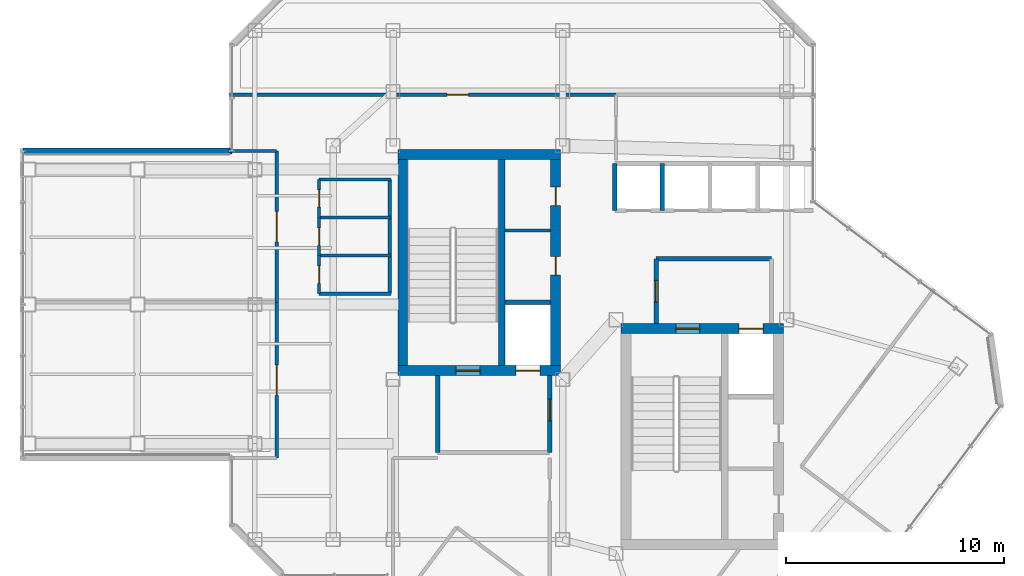
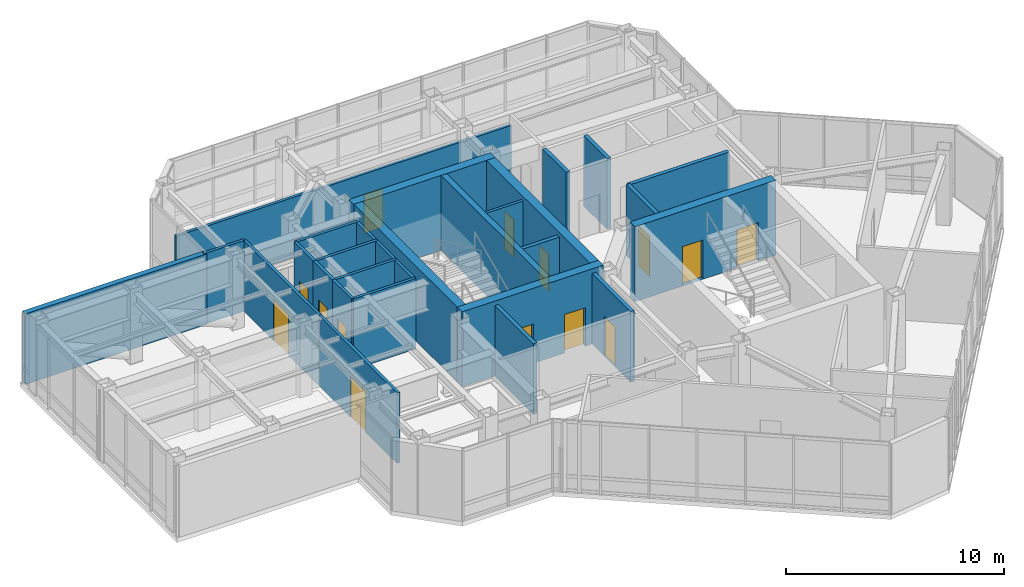
# One storey, part 18 of 22: 27 walls, 14 doors, 14 openings.
"""IFC4 building model written with IfcOpenShell, lengths in metres."""

from ifc_helpers import new_model, si_unit, direction, frame, frame_2d, origin, place, context, subcontext, project, spatial, rectangle, extrude, material, layer, layer_set, type_object, element, fill, save


model = new_model("IFC4")

# Units and contexts
model_context = context("Model", 3, precision=1e-05, world=origin(), true_north=direction((0.0, 1.0)))
body_context = subcontext(model_context, "Body", "Model", "MODEL_VIEW")
ifc_project = project(units=[si_unit("LENGTHUNIT", "METRE"), si_unit("AREAUNIT", "SQUARE_METRE"), si_unit("VOLUMEUNIT", "CUBIC_METRE"), si_unit("PLANEANGLEUNIT", "RADIAN"), si_unit("MASSUNIT", "GRAM", prefix="KILO")], contexts=[model_context])

# Site, building, storey
site_placement = place(None, origin())
site = spatial("IfcSite", under=ifc_project, at=site_placement, CompositionType="ELEMENT")
building_placement = place(site_placement, origin())
building = spatial("IfcBuilding", under=site, at=building_placement, Name="Hatsunagi Terrace Concourse", CompositionType="ELEMENT")
storey_placement = place(building_placement, frame((0.0, 0.0, 257.550048828125)))
storey = spatial("IfcBuildingStorey", under=building, at=storey_placement, Name="L68", CompositionType="ELEMENT", Elevation=257.550048828125)

# Wall, openings, doors
ifc_material_1 = material(Name="Concrete Fc42", Category="concrete")
ifc_layer_1 = layer(ifc_material_1, 0.449951171875)
ifc_layer_set_1 = layer_set([ifc_layer_1], Name="CoreShearWall_Fc42_450")
wall_type_1 = type_object("IfcWallType", Name="CoreShearWall_Fc42_450", PredefinedType="SHEAR", material=ifc_layer_set_1)
wall_1_placement = place(storey_placement, frame((25.77001953125, 32.965087890625, 0.0), z_axis=(0.0, 0.0, 1.0), x_axis=(1.0, 0.0, 0.0)))
wall_1 = element("IfcWall", 1, at=wall_1_placement, inside=storey, type_object=wall_type_1, Name="Core A Shear Wall S L68", PredefinedType="SHEAR", context=body_context, shape_type="SweptSolid", body=[
    extrude(rectangle(XDim=7.47998046875, YDim=0.449951171875, at=frame_2d((3.739990234375, 0.0))), origin(), (0.0, 0.0, 1.0), 4.199951171875),
])
opening_1_placement = place(wall_1_placement, frame((2.679931640625, 0.0, 0.0)))
opening_1 = element("IfcOpeningElement", 2, at=opening_1_placement, cuts=wall_1, Name="Opening DR-110S", PredefinedType="OPENING", context=body_context, shape_type="SweptSolid", body=[
    extrude(rectangle(XDim=1.10009765625, YDim=2.199951171875, at=frame_2d((0.550048828125, 1.10009765625))), frame((0.0, 0.23486328125, 0.0), z_axis=(0.0, -1.0, 0.0), x_axis=(1.0, 0.0, 0.0)), (0.0, 0.0, 1.0), 0.469970703125),
])
opening_2_placement = place(wall_1_placement, frame((5.429931640625, 0.0, 0.0)))
opening_2 = element("IfcOpeningElement", 3, at=opening_2_placement, cuts=wall_1, Name="Opening LD-01", PredefinedType="OPENING", context=body_context, shape_type="SweptSolid", body=[
    extrude(rectangle(XDim=1.10009765625, YDim=2.14990234375, at=frame_2d((0.550048828125, 1.074951171875))), frame((0.0, 0.23486328125, 0.0), z_axis=(0.0, -1.0, 0.0), x_axis=(1.0, 0.0, 0.0)), (0.0, 0.0, 1.0), 0.469970703125),
])
ifc_material_2 = material(Name="Stainless steel", Category="steel")
door_type_1 = type_object("IfcDoorType", Name="LiftLandingDoor_LD01", OperationType="SLIDING_TO_LEFT", PredefinedType="USERDEFINED", material=ifc_material_2)
door_1_placement = place(opening_2_placement, origin())
door_1 = element("IfcDoor", 4, at=door_1_placement, inside=storey, type_object=door_type_1, Name="Lift landing door FF-01 L68", ObjectType="SLIDING_LANDING_DOOR", OperationType="SLIDING_TO_LEFT", OverallHeight=2.14990234375, OverallWidth=1.10009765625, PredefinedType="USERDEFINED", context=body_context, shape_type="SweptSolid", body=[
    extrude(rectangle(XDim=1.10009765625, YDim=2.14990234375, at=frame_2d((0.550048828125, 1.074951171875))), frame((0.0, 0.02490234375, 0.0), z_axis=(0.0, -1.0, 0.0), x_axis=(1.0, 0.0, 0.0)), (0.0, 0.0, 1.0), 0.050048828125),
])
fill(opening_2, door_1)
ifc_material_3 = material(Name="Painted steel", Category="steel")
door_type_2 = type_object("IfcDoorType", Name="StairFireDoor_EI60_1100", OperationType="NOTDEFINED", PredefinedType="DOOR", material=ifc_material_3)
door_2_placement = place(opening_1_placement, origin())
door_2 = element("IfcDoor", 5, at=door_2_placement, inside=storey, type_object=door_type_2, Name="Stair ST-A Exit Door L68", OperationType="SINGLE_SWING_LEFT", OverallHeight=2.199951171875, OverallWidth=1.10009765625, PredefinedType="DOOR", context=body_context, shape_type="SweptSolid", body=[
    extrude(rectangle(XDim=1.10009765625, YDim=2.199951171875, at=frame_2d((0.550048828125, 1.10009765625))), frame((0.0, 0.02490234375, 0.0), z_axis=(0.0, -1.0, 0.0), x_axis=(1.0, 0.0, 0.0)), (0.0, 0.0, 1.0), 0.050048828125),
])
fill(opening_1, door_2)

# Walls
wall_2_placement = place(storey_placement, frame((25.77001953125, 42.89501953125, 0.0), z_axis=(0.0, 0.0, 1.0), x_axis=(1.0, 0.0, 0.0)))
element("IfcWall", 6, at=wall_2_placement, inside=storey, type_object=wall_type_1, Name="Core A Shear Wall N L68", PredefinedType="SHEAR", context=body_context, shape_type="SweptSolid", body=[
    extrude(rectangle(XDim=7.47998046875, YDim=0.449951171875, at=frame_2d((3.739990234375, 0.0))), origin(), (0.0, 0.0, 1.0), 4.199951171875),
])
wall_3_placement = place(storey_placement, frame((25.9951171875, 33.18994140625, 0.0), z_axis=(0.0, 0.0, 1.0), x_axis=(0.0, 1.0, 0.0)))
element("IfcWall", 7, at=wall_3_placement, inside=storey, type_object=wall_type_1, Name="Core A Shear Wall W L68", PredefinedType="SHEAR", context=body_context, shape_type="SweptSolid", body=[
    extrude(rectangle(XDim=9.47998046875, YDim=0.449951171875, at=frame_2d((4.739990234375, 0.0))), origin(), (0.0, 0.0, 1.0), 4.199951171875),
])

# Wall, openings, doors
wall_4_placement = place(storey_placement, frame((33.02490234375, 33.18994140625, 0.0), z_axis=(0.0, 0.0, 1.0), x_axis=(0.0, 1.0, 0.0)))
wall_4 = element("IfcWall", 8, at=wall_4_placement, inside=storey, type_object=wall_type_1, Name="Core A Shear Wall E L68", PredefinedType="SHEAR", context=body_context, shape_type="SweptSolid", body=[
    extrude(rectangle(XDim=9.47998046875, YDim=0.449951171875, at=frame_2d((4.739990234375, 0.0))), origin(), (0.0, 0.0, 1.0), 4.199951171875),
])
opening_3_placement = place(wall_4_placement, frame((4.159912109375, 0.0, 0.0)))
opening_3 = element("IfcOpeningElement", 9, at=opening_3_placement, cuts=wall_4, Name="Opening DR-085", PredefinedType="OPENING", context=body_context, shape_type="SweptSolid", body=[
    extrude(rectangle(XDim=0.85009765625, YDim=2.080078125, at=frame_2d((0.425048828125, 1.0400390625))), frame((0.0, 0.23486328125, 0.0), z_axis=(0.0, -1.0, 0.0), x_axis=(1.0, 0.0, 0.0)), (0.0, 0.0, 1.0), 0.469970703125),
])
opening_4_placement = place(wall_4_placement, frame((7.360107421875, 0.0, 0.0)))
opening_4 = element("IfcOpeningElement", 10, at=opening_4_placement, cuts=wall_4, Name="Opening DR-085", PredefinedType="OPENING", context=body_context, shape_type="SweptSolid", body=[
    extrude(rectangle(XDim=0.85009765625, YDim=2.080078125, at=frame_2d((0.425048828125, 1.0400390625))), frame((0.0, 0.23486328125, 0.0), z_axis=(0.0, -1.0, 0.0), x_axis=(1.0, 0.0, 0.0)), (0.0, 0.0, 1.0), 0.469970703125),
])
ifc_material_4 = material(Name="Painted steel", Category="steel")
door_type_3 = type_object("IfcDoorType", Name="RiserAccessDoor_EI60_850", OperationType="NOTDEFINED", PredefinedType="DOOR", material=ifc_material_4)
door_3_placement = place(opening_3_placement, origin())
door_3 = element("IfcDoor", 11, at=door_3_placement, inside=storey, type_object=door_type_3, Name="Core A Riser Door L68-1", OperationType="SINGLE_SWING_LEFT", OverallHeight=2.080078125, OverallWidth=0.85009765625, PredefinedType="DOOR", context=body_context, shape_type="SweptSolid", body=[
    extrude(rectangle(XDim=0.85009765625, YDim=2.080078125, at=frame_2d((0.425048828125, 1.0400390625))), frame((0.0, 0.02490234375, 0.0), z_axis=(0.0, -1.0, 0.0), x_axis=(1.0, 0.0, 0.0)), (0.0, 0.0, 1.0), 0.050048828125),
])
fill(opening_3, door_3)
door_4_placement = place(opening_4_placement, origin())
door_4 = element("IfcDoor", 12, at=door_4_placement, inside=storey, type_object=door_type_3, Name="Core A Riser Door L68-2", OperationType="SINGLE_SWING_LEFT", OverallHeight=2.080078125, OverallWidth=0.85009765625, PredefinedType="DOOR", context=body_context, shape_type="SweptSolid", body=[
    extrude(rectangle(XDim=0.85009765625, YDim=2.080078125, at=frame_2d((0.425048828125, 1.0400390625))), frame((0.0, 0.02490234375, 0.0), z_axis=(0.0, -1.0, 0.0), x_axis=(1.0, 0.0, 0.0)), (0.0, 0.0, 1.0), 0.050048828125),
])
fill(opening_4, door_4)

wall_5_placement = place(storey_placement, frame((36.0400390625, 34.89501953125, 0.0), z_axis=(0.0, 0.0, 1.0), x_axis=(1.0, 0.0, 0.0)))
wall_5 = element("IfcWall", 13, at=wall_5_placement, inside=storey, type_object=wall_type_1, Name="Core B Shear Wall N L68", PredefinedType="SHEAR", context=body_context, shape_type="SweptSolid", body=[
    extrude(rectangle(XDim=7.4599609375, YDim=0.449951171875, at=frame_2d((3.72998046875, 0.0))), origin(), (0.0, 0.0, 1.0), 4.199951171875),
])
opening_5_placement = place(wall_5_placement, frame((2.510009765625, 0.0, 0.0)))
opening_5 = element("IfcOpeningElement", 14, at=opening_5_placement, cuts=wall_5, Name="Opening DR-110S", PredefinedType="OPENING", context=body_context, shape_type="SweptSolid", body=[
    extrude(rectangle(XDim=1.10009765625, YDim=2.199951171875, at=frame_2d((0.550048828125, 1.10009765625))), frame((0.0, 0.23486328125, 0.0), z_axis=(0.0, -1.0, 0.0), x_axis=(1.0, 0.0, 0.0)), (0.0, 0.0, 1.0), 0.469970703125),
])
opening_6_placement = place(wall_5_placement, frame((5.409912109375, 0.0, 0.0)))
opening_6 = element("IfcOpeningElement", 15, at=opening_6_placement, cuts=wall_5, Name="Opening LD-02", PredefinedType="OPENING", context=body_context, shape_type="SweptSolid", body=[
    extrude(rectangle(XDim=1.1201171875, YDim=2.14990234375, at=frame_2d((0.56005859375, 1.074951171875))), frame((0.0, 0.23486328125, 0.0), z_axis=(0.0, -1.0, 0.0), x_axis=(1.0, 0.0, 0.0)), (0.0, 0.0, 1.0), 0.469970703125),
])
ifc_material_5 = material(Name="Stainless steel", Category="steel")
door_type_4 = type_object("IfcDoorType", Name="LiftLandingDoor_LD02", OperationType="SLIDING_TO_RIGHT", PredefinedType="USERDEFINED", material=ifc_material_5)
door_5_placement = place(opening_6_placement, origin())
door_5 = element("IfcDoor", 16, at=door_5_placement, inside=storey, type_object=door_type_4, Name="Lift landing door FF-02 L68", ObjectType="SLIDING_LANDING_DOOR", OperationType="SLIDING_TO_RIGHT", OverallHeight=2.14990234375, OverallWidth=1.1201171875, PredefinedType="USERDEFINED", context=body_context, shape_type="SweptSolid", body=[
    extrude(rectangle(XDim=1.1201171875, YDim=2.14990234375, at=frame_2d((0.56005859375, 1.074951171875))), frame((0.0, 0.02490234375, 0.0), z_axis=(0.0, -1.0, 0.0), x_axis=(1.0, 0.0, 0.0)), (0.0, 0.0, 1.0), 0.050048828125),
])
fill(opening_6, door_5)
door_6_placement = place(opening_5_placement, origin())
door_6 = element("IfcDoor", 17, at=door_6_placement, inside=storey, type_object=door_type_2, Name="Stair ST-B Exit Door L68", OperationType="SINGLE_SWING_RIGHT", OverallHeight=2.199951171875, OverallWidth=1.10009765625, PredefinedType="DOOR", context=body_context, shape_type="SweptSolid", body=[
    extrude(rectangle(XDim=1.10009765625, YDim=2.199951171875, at=frame_2d((0.550048828125, 1.10009765625))), frame((0.0, 0.02490234375, 0.0), z_axis=(0.0, -1.0, 0.0), x_axis=(1.0, 0.0, 0.0)), (0.0, 0.0, 1.0), 0.050048828125),
])
fill(opening_5, door_6)

# Walls
ifc_material_6 = material(Name="Concrete Fc48", Category="concrete")
ifc_layer_2 = layer(ifc_material_6, 0.300048828125)
ifc_layer_set_2 = layer_set([ifc_layer_2], Name="CoreStairDivider_Fc48_300")
wall_type_2 = type_object("IfcWallType", Name="CoreStairDivider_Fc48_300", PredefinedType="SHEAR", material=ifc_layer_set_2)
wall_6_placement = place(storey_placement, frame((30.5400390625, 33.18994140625, 0.0), z_axis=(0.0, 0.0, 1.0), x_axis=(0.0, 1.0, 0.0)))
element("IfcWall", 18, at=wall_6_placement, inside=storey, type_object=wall_type_2, Name="Core A Shear Wall D L68", PredefinedType="SHEAR", context=body_context, shape_type="SweptSolid", body=[
    extrude(rectangle(XDim=9.47998046875, YDim=0.300048828125, at=frame_2d((4.739990234375, 0.0))), origin(), (0.0, 0.0, 1.0), 4.199951171875),
])
ifc_material_7 = material(Name="Acoustic mineral board", Category="gypsum")
ifc_layer_3 = layer(ifc_material_7, 0.14990234375)
ifc_layer_set_3 = layer_set([ifc_layer_3], Name="PartitionWall_EI60_150")
wall_type_3 = type_object("IfcWallType", Name="PartitionWall_EI60_150", PredefinedType="PARTITIONING", material=ifc_layer_set_3)
wall_7_placement = place(storey_placement, frame((30.699951171875, 39.39990234375, 0.0), z_axis=(0.0, 0.0, 1.0), x_axis=(1.0, 0.0, 0.0)))
element("IfcWall", 19, at=wall_7_placement, inside=storey, type_object=wall_type_3, Name="Interior Partition IW-L68-002", PredefinedType="PARTITIONING", context=body_context, shape_type="SweptSolid", body=[
    extrude(rectangle(XDim=2.10009765625, YDim=0.14990234375, at=frame_2d((1.050048828125, 0.0))), origin(), (0.0, 0.0, 1.0), 3.949951171875),
])
for number, where, z_axis, x_axis, name in (
    (20, (22.14990234375, 36.5, 0.0), (0.0, 0.0, 1.0), (1.0, 0.0, 0.0), "Interior Partition IW-L68-017"),
    (21, (22.14990234375, 41.75, 0.0), (0.0, 0.0, 1.0), (1.0, 0.0, 0.0), "Interior Partition IW-L68-018"),
):
    element("IfcWall", number, at=place(storey_placement, frame(where, z_axis=z_axis, x_axis=x_axis)), inside=storey, type_object=wall_type_3, Name=name, PredefinedType="PARTITIONING", context=body_context, shape_type="SweptSolid", body=[
        extrude(rectangle(XDim=3.300048828125, YDim=0.14990234375, at=frame_2d((1.64990234375, 0.0))), origin(), (0.0, 0.0, 1.0), 3.949951171875),
    ])
wall_8_placement = place(storey_placement, frame((25.39990234375, 36.5, 0.0), z_axis=(0.0, 0.0, 1.0), x_axis=(0.0, 1.0, 0.0)))
element("IfcWall", 22, at=wall_8_placement, inside=storey, type_object=wall_type_3, Name="Interior Partition IW-L68-019", PredefinedType="PARTITIONING", context=body_context, shape_type="SweptSolid", body=[
    extrude(rectangle(XDim=5.25, YDim=0.14990234375, at=frame_2d((2.625, 0.0))), origin(), (0.0, 0.0, 1.0), 3.949951171875),
])
for number, where, z_axis, x_axis, name in (
    (23, (22.14990234375, 38.25, 0.0), (0.0, 0.0, 1.0), (1.0, 0.0, 0.0), "Interior Partition IW-L68-020"),
    (24, (22.14990234375, 40.0, 0.0), (0.0, 0.0, 1.0), (1.0, 0.0, 0.0), "Interior Partition IW-L68-021"),
):
    element("IfcWall", number, at=place(storey_placement, frame(where, z_axis=z_axis, x_axis=x_axis)), inside=storey, type_object=wall_type_3, Name=name, PredefinedType="PARTITIONING", context=body_context, shape_type="SweptSolid", body=[
        extrude(rectangle(XDim=3.300048828125, YDim=0.14990234375, at=frame_2d((1.64990234375, 0.0))), origin(), (0.0, 0.0, 1.0), 3.949951171875),
    ])

# Wall, opening, door
wall_9_placement = place(storey_placement, frame((22.14990234375, 36.5, 0.0), z_axis=(0.0, 0.0, 1.0), x_axis=(0.0, 1.0, 0.0)))
wall_9 = element("IfcWall", 25, at=wall_9_placement, inside=storey, type_object=wall_type_3, Name="Interior Partition IW-L68-022", PredefinedType="PARTITIONING", context=body_context, shape_type="SweptSolid", body=[
    extrude(rectangle(XDim=1.75, YDim=0.14990234375, at=frame_2d((0.875, 0.0))), origin(), (0.0, 0.0, 1.0), 3.949951171875),
])
opening_7_placement = place(wall_9_placement, frame((0.47509765625, 0.0, 0.0)))
opening_7 = element("IfcOpeningElement", 26, at=opening_7_placement, cuts=wall_9, Name="Opening DR-080", PredefinedType="OPENING", context=body_context, shape_type="SweptSolid", body=[
    extrude(rectangle(XDim=0.800048828125, YDim=2.06005859375, at=frame_2d((0.39990234375, 1.030029296875))), frame((0.0, 0.0849609375, 0.0), z_axis=(0.0, -1.0, 0.0), x_axis=(1.0, 0.0, 0.0)), (0.0, 0.0, 1.0), 0.169921875),
])
ifc_material_8 = material(Name="Hardwood timber", Category="wood")
door_type_5 = type_object("IfcDoorType", Name="BathroomDoor_800", OperationType="NOTDEFINED", PredefinedType="DOOR", material=ifc_material_8)
door_7_placement = place(opening_7_placement, origin())
door_7 = element("IfcDoor", 27, at=door_7_placement, inside=storey, type_object=door_type_5, Name="Accessible WC Door L68", OperationType="SINGLE_SWING_RIGHT", OverallHeight=2.06005859375, OverallWidth=0.800048828125, PredefinedType="DOOR", context=body_context, shape_type="SweptSolid", body=[
    extrude(rectangle(XDim=0.800048828125, YDim=2.06005859375, at=frame_2d((0.39990234375, 1.030029296875))), frame((0.0, 0.02490234375, 0.0), z_axis=(0.0, -1.0, 0.0), x_axis=(1.0, 0.0, 0.0)), (0.0, 0.0, 1.0), 0.050048828125),
])
fill(opening_7, door_7)

wall_10_placement = place(storey_placement, frame((22.14990234375, 38.25, 0.0), z_axis=(0.0, 0.0, 1.0), x_axis=(0.0, 1.0, 0.0)))
wall_10 = element("IfcWall", 28, at=wall_10_placement, inside=storey, type_object=wall_type_3, Name="Interior Partition IW-L68-023", PredefinedType="PARTITIONING", context=body_context, shape_type="SweptSolid", body=[
    extrude(rectangle(XDim=1.75, YDim=0.14990234375, at=frame_2d((0.875, 0.0))), origin(), (0.0, 0.0, 1.0), 3.949951171875),
])
opening_8_placement = place(wall_10_placement, frame((0.47509765625, 0.0, 0.0)))
opening_8 = element("IfcOpeningElement", 29, at=opening_8_placement, cuts=wall_10, Name="Opening DR-080", PredefinedType="OPENING", context=body_context, shape_type="SweptSolid", body=[
    extrude(rectangle(XDim=0.800048828125, YDim=2.06005859375, at=frame_2d((0.39990234375, 1.030029296875))), frame((0.0, 0.0849609375, 0.0), z_axis=(0.0, -1.0, 0.0), x_axis=(1.0, 0.0, 0.0)), (0.0, 0.0, 1.0), 0.169921875),
])
door_8_placement = place(opening_8_placement, origin())
door_8 = element("IfcDoor", 30, at=door_8_placement, inside=storey, type_object=door_type_5, Name="Female Restroom Door L68", OperationType="SINGLE_SWING_RIGHT", OverallHeight=2.06005859375, OverallWidth=0.800048828125, PredefinedType="DOOR", context=body_context, shape_type="SweptSolid", body=[
    extrude(rectangle(XDim=0.800048828125, YDim=2.06005859375, at=frame_2d((0.39990234375, 1.030029296875))), frame((0.0, 0.02490234375, 0.0), z_axis=(0.0, -1.0, 0.0), x_axis=(1.0, 0.0, 0.0)), (0.0, 0.0, 1.0), 0.050048828125),
])
fill(opening_8, door_8)

wall_11_placement = place(storey_placement, frame((22.14990234375, 40.0, 0.0), z_axis=(0.0, 0.0, 1.0), x_axis=(0.0, 1.0, 0.0)))
wall_11 = element("IfcWall", 31, at=wall_11_placement, inside=storey, type_object=wall_type_3, Name="Interior Partition IW-L68-024", PredefinedType="PARTITIONING", context=body_context, shape_type="SweptSolid", body=[
    extrude(rectangle(XDim=1.75, YDim=0.14990234375, at=frame_2d((0.875, 0.0))), origin(), (0.0, 0.0, 1.0), 3.949951171875),
])
opening_9_placement = place(wall_11_placement, frame((0.47509765625, 0.0, 0.0)))
opening_9 = element("IfcOpeningElement", 32, at=opening_9_placement, cuts=wall_11, Name="Opening DR-080", PredefinedType="OPENING", context=body_context, shape_type="SweptSolid", body=[
    extrude(rectangle(XDim=0.800048828125, YDim=2.06005859375, at=frame_2d((0.39990234375, 1.030029296875))), frame((0.0, 0.0849609375, 0.0), z_axis=(0.0, -1.0, 0.0), x_axis=(1.0, 0.0, 0.0)), (0.0, 0.0, 1.0), 0.169921875),
])
door_9_placement = place(opening_9_placement, origin())
door_9 = element("IfcDoor", 33, at=door_9_placement, inside=storey, type_object=door_type_5, Name="Male Restroom Door L68", OperationType="SINGLE_SWING_LEFT", OverallHeight=2.06005859375, OverallWidth=0.800048828125, PredefinedType="DOOR", context=body_context, shape_type="SweptSolid", body=[
    extrude(rectangle(XDim=0.800048828125, YDim=2.06005859375, at=frame_2d((0.39990234375, 1.030029296875))), frame((0.0, 0.02490234375, 0.0), z_axis=(0.0, -1.0, 0.0), x_axis=(1.0, 0.0, 0.0)), (0.0, 0.0, 1.0), 0.050048828125),
])
fill(opening_9, door_9)

# Wall
wall_12_placement = place(storey_placement, frame((18.0, 43.06005859375, 0.0), z_axis=(0.0, 0.0, 1.0), x_axis=(1.0, 0.0, 0.0)))
element("IfcWall", 34, at=wall_12_placement, inside=storey, type_object=wall_type_3, Name="Interior Partition IW-L68-032", PredefinedType="PARTITIONING", context=body_context, shape_type="SweptSolid", body=[
    extrude(rectangle(XDim=2.199951171875, YDim=0.14990234375, at=frame_2d((1.10009765625, 0.0))), origin(), (0.0, 0.0, 1.0), 3.949951171875),
])

# Wall, opening, door
wall_13_placement = place(storey_placement, frame((20.199951171875, 28.93994140625, 0.0), z_axis=(0.0, 0.0, 1.0), x_axis=(0.0, 1.0, 0.0)))
wall_13 = element("IfcWall", 35, at=wall_13_placement, inside=storey, type_object=wall_type_3, Name="Interior Partition IW-L68-034", PredefinedType="PARTITIONING", context=body_context, shape_type="SweptSolid", body=[
    extrude(rectangle(XDim=7.16015625, YDim=0.14990234375, at=frame_2d((3.580078125, 0.0))), origin(), (0.0, 0.0, 1.0), 3.949951171875),
])
opening_10_placement = place(wall_13_placement, frame((2.8798828125, 0.0, 0.0)))
opening_10 = element("IfcOpeningElement", 36, at=opening_10_placement, cuts=wall_13, Name="Opening DR-140", PredefinedType="OPENING", context=body_context, shape_type="SweptSolid", body=[
    extrude(rectangle(XDim=1.39990234375, YDim=2.300048828125, at=frame_2d((0.699951171875, 1.14990234375))), frame((0.0, 0.0849609375, 0.0), z_axis=(0.0, -1.0, 0.0), x_axis=(1.0, 0.0, 0.0)), (0.0, 0.0, 1.0), 0.169921875),
])
ifc_material_9 = material(Name="Hardwood timber", Category="wood")
door_type_6 = type_object("IfcDoorType", Name="LoungeDiningDoubleDoor_1400", OperationType="DOUBLE_DOOR_SINGLE_SWING", PredefinedType="DOOR", material=ifc_material_9)
door_10_placement = place(opening_10_placement, origin())
door_10 = element("IfcDoor", 37, at=door_10_placement, inside=storey, type_object=door_type_6, Name="Sky Lounge L68-SKYL Door", OperationType="DOUBLE_DOOR_SINGLE_SWING", OverallHeight=2.300048828125, OverallWidth=1.39990234375, PredefinedType="DOOR", context=body_context, shape_type="SweptSolid", body=[
    extrude(rectangle(XDim=1.39990234375, YDim=2.300048828125, at=frame_2d((0.699951171875, 1.14990234375))), frame((0.0, 0.02490234375, 0.0), z_axis=(0.0, -1.0, 0.0), x_axis=(1.0, 0.0, 0.0)), (0.0, 0.0, 1.0), 0.050048828125),
])
fill(opening_10, door_10)

wall_14_placement = place(storey_placement, frame((20.199951171875, 36.10009765625, 0.0), z_axis=(0.0, 0.0, 1.0), x_axis=(0.0, 1.0, 0.0)))
wall_14 = element("IfcWall", 38, at=wall_14_placement, inside=storey, type_object=wall_type_3, Name="Interior Partition IW-L68-035", PredefinedType="PARTITIONING", context=body_context, shape_type="SweptSolid", body=[
    extrude(rectangle(XDim=6.9599609375, YDim=0.14990234375, at=frame_2d((3.47998046875, 0.0))), origin(), (0.0, 0.0, 1.0), 3.949951171875),
])
opening_11_placement = place(wall_14_placement, frame((2.780029296875, 0.0, 0.0)))
opening_11 = element("IfcOpeningElement", 39, at=opening_11_placement, cuts=wall_14, Name="Opening DR-140", PredefinedType="OPENING", context=body_context, shape_type="SweptSolid", body=[
    extrude(rectangle(XDim=1.39990234375, YDim=2.300048828125, at=frame_2d((0.699951171875, 1.14990234375))), frame((0.0, 0.0849609375, 0.0), z_axis=(0.0, -1.0, 0.0), x_axis=(1.0, 0.0, 0.0)), (0.0, 0.0, 1.0), 0.169921875),
])
door_11_placement = place(opening_11_placement, origin())
door_11 = element("IfcDoor", 40, at=door_11_placement, inside=storey, type_object=door_type_6, Name="Observation Bar L68-OBAR Door", OperationType="DOUBLE_DOOR_SINGLE_SWING", OverallHeight=2.300048828125, OverallWidth=1.39990234375, PredefinedType="DOOR", context=body_context, shape_type="SweptSolid", body=[
    extrude(rectangle(XDim=1.39990234375, YDim=2.300048828125, at=frame_2d((0.699951171875, 1.14990234375))), frame((0.0, 0.02490234375, 0.0), z_axis=(0.0, -1.0, 0.0), x_axis=(1.0, 0.0, 0.0)), (0.0, 0.0, 1.0), 0.050048828125),
])
fill(opening_11, door_11)

wall_15_placement = place(storey_placement, frame((18.0400390625, 45.64990234375, 0.0), z_axis=(0.0, 0.0, 1.0), x_axis=(1.0, 0.0, 0.0)))
wall_15 = element("IfcWall", 41, at=wall_15_placement, inside=storey, type_object=wall_type_3, Name="Interior Partition IW-L68-036", PredefinedType="PARTITIONING", context=body_context, shape_type="SweptSolid", body=[
    extrude(rectangle(XDim=17.760009765625, YDim=0.14990234375, at=frame_2d((8.8798828125, 0.0))), origin(), (0.0, 0.0, 1.0), 3.35693359375),
])
opening_12_placement = place(wall_15_placement, frame((9.97998046875, 0.0, 0.0)))
opening_12 = element("IfcOpeningElement", 42, at=opening_12_placement, cuts=wall_15, Name="Opening DR-100S", PredefinedType="OPENING", context=body_context, shape_type="SweptSolid", body=[
    extrude(rectangle(XDim=1.0, YDim=2.14990234375, at=frame_2d((0.5, 1.074951171875))), frame((0.0, 0.0849609375, 0.0), z_axis=(0.0, -1.0, 0.0), x_axis=(1.0, 0.0, 0.0)), (0.0, 0.0, 1.0), 0.169921875),
])
ifc_material_10 = material(Name="Hardwood timber", Category="wood")
door_type_7 = type_object("IfcDoorType", Name="SuiteDoor_EI30_1000", OperationType="NOTDEFINED", PredefinedType="DOOR", material=ifc_material_10)
door_12_placement = place(opening_12_placement, origin())
door_12 = element("IfcDoor", 43, at=door_12_placement, inside=storey, type_object=door_type_7, Name="Catering Pantry L68-CAT68 Door", OperationType="SINGLE_SWING_RIGHT", OverallHeight=2.14990234375, OverallWidth=1.0, PredefinedType="DOOR", context=body_context, shape_type="SweptSolid", body=[
    extrude(rectangle(XDim=1.0, YDim=2.14990234375, at=frame_2d((0.5, 1.074951171875))), frame((0.0, 0.02490234375, 0.0), z_axis=(0.0, -1.0, 0.0), x_axis=(1.0, 0.0, 0.0)), (0.0, 0.0, 1.0), 0.050048828125),
])
fill(opening_12, door_12)

# Walls
ifc_material_11 = material(Name="Acoustic mineral board", Category="gypsum")
ifc_layer_4 = layer(ifc_material_11, 0.199951171875)
ifc_layer_set_4 = layer_set([ifc_layer_4], Name="ShaftWall_EI120_200")
wall_type_4 = type_object("IfcWallType", Name="ShaftWall_EI120_200", PredefinedType="STANDARD", material=ifc_layer_set_4)
wall_16_placement = place(storey_placement, frame((30.699951171875, 36.10009765625, 0.0), z_axis=(0.0, 0.0, 1.0), x_axis=(1.0, 0.0, 0.0)))
element("IfcWall", 44, at=wall_16_placement, inside=storey, type_object=wall_type_4, Name="Interior Partition IW-L68-001", PredefinedType="STANDARD", context=body_context, shape_type="SweptSolid", body=[
    extrude(rectangle(XDim=2.10009765625, YDim=0.199951171875, at=frame_2d((1.050048828125, 0.0))), origin(), (0.0, 0.0, 1.0), 3.949951171875),
])
wall_17_placement = place(storey_placement, frame((27.60009765625, 29.199951171875, 0.0), z_axis=(0.0, 0.0, 1.0), x_axis=(0.0, 1.0, 0.0)))
element("IfcWall", 45, at=wall_17_placement, inside=storey, type_object=wall_type_4, Name="Interior Partition IW-L68-006", PredefinedType="STANDARD", context=body_context, shape_type="SweptSolid", body=[
    extrude(rectangle(XDim=3.5400390625, YDim=0.199951171875, at=frame_2d((1.77001953125, 0.0))), origin(), (0.0, 0.0, 1.0), 3.949951171875),
])

# Wall, opening, door
wall_18_placement = place(storey_placement, frame((32.75, 29.199951171875, 0.0), z_axis=(0.0, 0.0, 1.0), x_axis=(0.0, 1.0, 0.0)))
wall_18 = element("IfcWall", 46, at=wall_18_placement, inside=storey, type_object=wall_type_4, Name="Interior Partition IW-L68-007", PredefinedType="STANDARD", context=body_context, shape_type="SweptSolid", body=[
    extrude(rectangle(XDim=3.5400390625, YDim=0.199951171875, at=frame_2d((1.77001953125, 0.0))), origin(), (0.0, 0.0, 1.0), 3.949951171875),
])
opening_13_placement = place(wall_18_placement, frame((1.449951171875, 0.0, 0.0)))
opening_13 = element("IfcOpeningElement", 47, at=opening_13_placement, cuts=wall_18, Name="Opening DR-100F", PredefinedType="OPENING", context=body_context, shape_type="SweptSolid", body=[
    extrude(rectangle(XDim=1.0, YDim=2.199951171875, at=frame_2d((0.5, 1.10009765625))), frame((0.0, 0.10986328125, 0.0), z_axis=(0.0, -1.0, 0.0), x_axis=(1.0, 0.0, 0.0)), (0.0, 0.0, 1.0), 0.219970703125),
])
ifc_material_12 = material(Name="Painted steel", Category="steel")
door_type_8 = type_object("IfcDoorType", Name="FireDoor_EI60_1000", OperationType="NOTDEFINED", PredefinedType="DOOR", material=ifc_material_12)
door_13_placement = place(opening_13_placement, origin())
door_13 = element("IfcDoor", 48, at=door_13_placement, inside=storey, type_object=door_type_8, Name="Firefighting Lobby A Door L68", OperationType="SINGLE_SWING_RIGHT", OverallHeight=2.199951171875, OverallWidth=1.0, PredefinedType="DOOR", context=body_context, shape_type="SweptSolid", body=[
    extrude(rectangle(XDim=1.0, YDim=2.199951171875, at=frame_2d((0.5, 1.10009765625))), frame((0.0, 0.02490234375, 0.0), z_axis=(0.0, -1.0, 0.0), x_axis=(1.0, 0.0, 0.0)), (0.0, 0.0, 1.0), 0.050048828125),
])
fill(opening_13, door_13)

# Wall
wall_19_placement = place(storey_placement, frame((37.64990234375, 38.10009765625, 0.0), z_axis=(0.0, 0.0, 1.0), x_axis=(1.0, 0.0, 0.0)))
element("IfcWall", 49, at=wall_19_placement, inside=storey, type_object=wall_type_4, Name="Interior Partition IW-L68-008", PredefinedType="STANDARD", context=body_context, shape_type="SweptSolid", body=[
    extrude(rectangle(XDim=5.300048828125, YDim=0.199951171875, at=frame_2d((2.64990234375, 0.0))), origin(), (0.0, 0.0, 1.0), 3.949951171875),
])

# Wall, opening, door
wall_20_placement = place(storey_placement, frame((37.64990234375, 35.1201171875, 0.0), z_axis=(0.0, 0.0, 1.0), x_axis=(0.0, 1.0, 0.0)))
wall_20 = element("IfcWall", 50, at=wall_20_placement, inside=storey, type_object=wall_type_4, Name="Interior Partition IW-L68-010", PredefinedType="STANDARD", context=body_context, shape_type="SweptSolid", body=[
    extrude(rectangle(XDim=2.97998046875, YDim=0.199951171875, at=frame_2d((1.489990234375, 0.0))), origin(), (0.0, 0.0, 1.0), 3.949951171875),
])
opening_14_placement = place(wall_20_placement, frame((0.989990234375, 0.0, 0.0)))
opening_14 = element("IfcOpeningElement", 51, at=opening_14_placement, cuts=wall_20, Name="Opening DR-100F", PredefinedType="OPENING", context=body_context, shape_type="SweptSolid", body=[
    extrude(rectangle(XDim=1.0, YDim=2.199951171875, at=frame_2d((0.5, 1.10009765625))), frame((0.0, 0.10986328125, 0.0), z_axis=(0.0, -1.0, 0.0), x_axis=(1.0, 0.0, 0.0)), (0.0, 0.0, 1.0), 0.219970703125),
])
door_14_placement = place(opening_14_placement, origin())
door_14 = element("IfcDoor", 52, at=door_14_placement, inside=storey, type_object=door_type_8, Name="Firefighting Lobby B Door L68", OperationType="SINGLE_SWING_RIGHT", OverallHeight=2.199951171875, OverallWidth=1.0, PredefinedType="DOOR", context=body_context, shape_type="SweptSolid", body=[
    extrude(rectangle(XDim=1.0, YDim=2.199951171875, at=frame_2d((0.5, 1.10009765625))), frame((0.0, 0.02490234375, 0.0), z_axis=(0.0, -1.0, 0.0), x_axis=(1.0, 0.0, 0.0)), (0.0, 0.0, 1.0), 0.050048828125),
])
fill(opening_14, door_14)

# Walls
for number, where, z_axis, x_axis, name in (
    (53, (35.75, 40.320068359375, 0.0), (0.0, 0.0, 1.0), (0.0, 1.0, 0.0), "Interior Partition IW-L68-012"),
    (54, (37.919921875, 40.320068359375, 0.0), (0.0, 0.0, 1.0), (0.0, 1.0, 0.0), "Interior Partition IW-L68-013"),
):
    element("IfcWall", number, at=place(storey_placement, frame(where, z_axis=z_axis, x_axis=x_axis)), inside=storey, type_object=wall_type_4, Name=name, PredefinedType="STANDARD", context=body_context, shape_type="SweptSolid", body=[
        extrude(rectangle(XDim=2.159912109375, YDim=0.199951171875, at=frame_2d((1.080078125, 0.0))), origin(), (0.0, 0.0, 1.0), 3.949951171875),
    ])
ifc_material_13 = material(Name="Autoclaved Lightweight Concrete and Terracotta Cladding", Category="masonry")
ifc_layer_5 = layer(ifc_material_13, 0.280029296875)
ifc_layer_set_5 = layer_set([ifc_layer_5], Name="TerracottaSpandrelWall_280")
wall_type_5 = type_object("IfcWallType", Name="TerracottaSpandrelWall_280", PredefinedType="STANDARD", material=ifc_layer_set_5)
wall_21_placement = place(storey_placement, frame((8.5400390625, 43.06005859375, 0.0), z_axis=(0.0, 0.0, 1.0), x_axis=(1.0, 0.0, 0.0)))
element("IfcWall", 55, at=wall_21_placement, inside=storey, type_object=wall_type_5, Name="Exterior Spandrel Wall EW-L68-16", PredefinedType="STANDARD", context=body_context, shape_type="SweptSolid", body=[
    extrude(rectangle(XDim=9.599853515625, YDim=0.280029296875, at=frame_2d((4.7998046875, 0.0))), origin(), (0.0, 0.0, 1.0), 3.949951171875),
])

save(model, "model.ifc")
